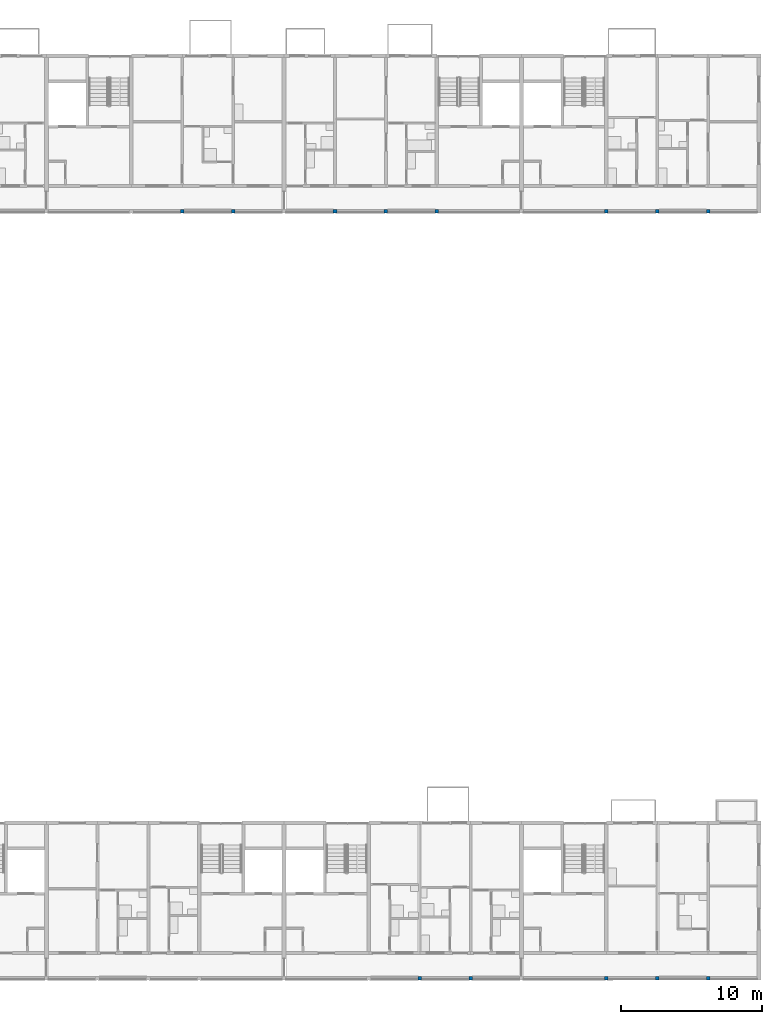
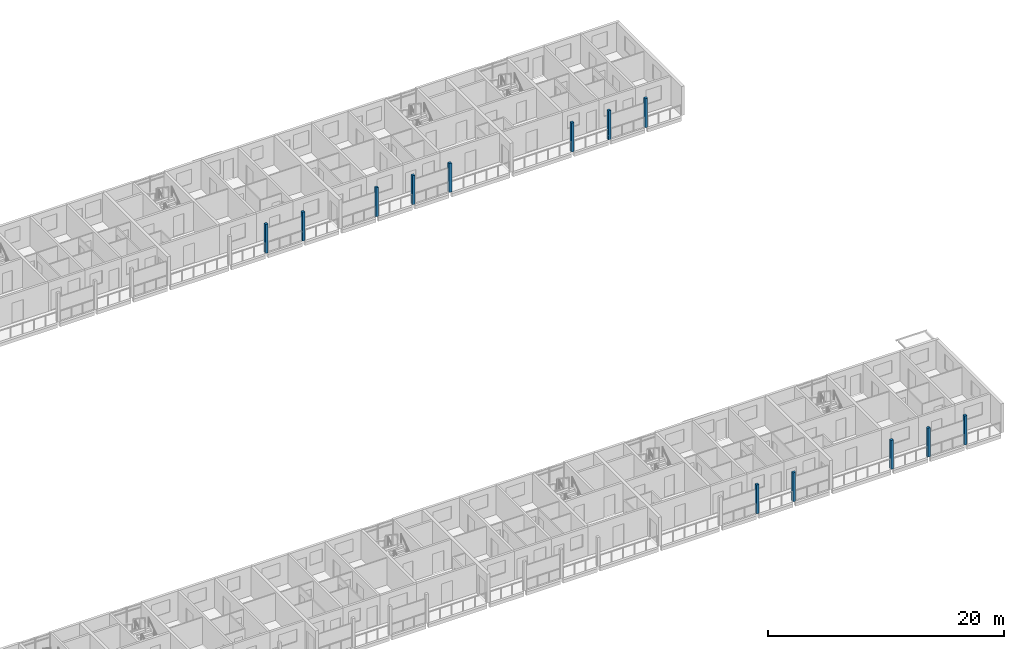
# One storey, part 4 of 93: 13 columns.
"""IFC4 building model written with IfcOpenShell, lengths in metres."""

from ifc_helpers import new_model, si_unit, direction, frame, origin, origin_2d, place, context, subcontext, project, spatial, rectangle, extrude, material, material_profile, profile_set, type_object, element, save


model = new_model("IFC4")

# Units and contexts
model_context = context("Model", 3, precision=1e-05, world=origin(), true_north=direction((0.0, 1.0)))
body_context = subcontext(model_context, "Body", "Model", "MODEL_VIEW")
ifc_project = project(units=[si_unit("LENGTHUNIT", "METRE"), si_unit("AREAUNIT", "SQUARE_METRE"), si_unit("VOLUMEUNIT", "CUBIC_METRE"), si_unit("PLANEANGLEUNIT", "RADIAN"), si_unit("MASSUNIT", "GRAM", prefix="KILO")], contexts=[model_context])

# Site, building, storey
site_placement = place(None, origin())
site = spatial("IfcSite", under=ifc_project, at=site_placement, CompositionType="ELEMENT")
building_placement = place(site_placement, origin())
building = spatial("IfcBuilding", under=site, at=building_placement, Name="Ridgestep Commons", CompositionType="ELEMENT")
storey_placement = place(building_placement, frame((0.0, 0.0, 18.0)))
storey = spatial("IfcBuildingStorey", under=building, at=storey_placement, Name="L06", CompositionType="ELEMENT", Elevation=18.0)

# Columns
ifc_material = material(Name="Precast concrete C40/50", Category="concrete")
ifc_material_profile = material_profile(ifc_material, rectangle(XDim=0.25, YDim=0.25, at=origin_2d()), Name="PC 250x250")
ifc_profile_set = profile_set([ifc_material_profile], Name="Precast concrete C40/50")
column_type = type_object("IfcColumnType", Name="Loggia column 250 x 250", PredefinedType="COLUMN", material=ifc_profile_set)
for number, where, z_axis, x_axis, name in (
    (1, (206.800048828125, 66.125, 0.0), (0.0, 0.0, 1.0), (1.0, 0.0, 0.0), "Loggia column C L06"),
    (2, (210.39990234375, 66.125, 0.0), (0.0, 0.0, 1.0), (1.0, 0.0, 0.0), "Loggia column C L06"),
    (3, (217.60009765625, 66.125, 0.0), (0.0, 0.0, 1.0), (1.0, 0.0, 0.0), "Loggia column C L06"),
    (4, (221.199951171875, 66.125, 0.0), (0.0, 0.0, 1.0), (1.0, 0.0, 0.0), "Loggia column C L06"),
    (5, (224.800048828125, 66.125, 0.0), (0.0, 0.0, 1.0), (1.0, 0.0, 0.0), "Loggia column C L06"),
    (6, (236.800048828125, 66.125, 0.0), (0.0, 0.0, 1.0), (1.0, 0.0, 0.0), "Loggia column C L06"),
    (7, (240.39990234375, 66.125, 0.0), (0.0, 0.0, 1.0), (1.0, 0.0, 0.0), "Loggia column C L06"),
    (8, (244.0, 66.125, 0.0), (0.0, 0.0, 1.0), (1.0, 0.0, 0.0), "Loggia column C L06"),
    (9, (223.60009765625, 11.875, 0.0), (0.0, 0.0, 1.0), (1.0, 0.0, 0.0), "Loggia column D L06"),
    (10, (227.199951171875, 11.875, 0.0), (0.0, 0.0, 1.0), (1.0, 0.0, 0.0), "Loggia column D L06"),
    (11, (236.800048828125, 11.875, 0.0), (0.0, 0.0, 1.0), (1.0, 0.0, 0.0), "Loggia column D L06"),
    (12, (240.39990234375, 11.875, 0.0), (0.0, 0.0, 1.0), (1.0, 0.0, 0.0), "Loggia column D L06"),
    (13, (244.0, 11.875, 0.0), (0.0, 0.0, 1.0), (1.0, 0.0, 0.0), "Loggia column D L06"),
):
    element("IfcColumn", number, at=place(storey_placement, frame(where, z_axis=z_axis, x_axis=x_axis)), inside=storey, type_object=column_type, Name=name, PredefinedType="COLUMN", context=body_context, shape_type="SweptSolid", body=[
        extrude(rectangle(XDim=0.25, YDim=0.25, at=origin_2d()), origin(), (0.0, 0.0, 1.0), 3.0),
    ])

save(model, "model.ifc")
